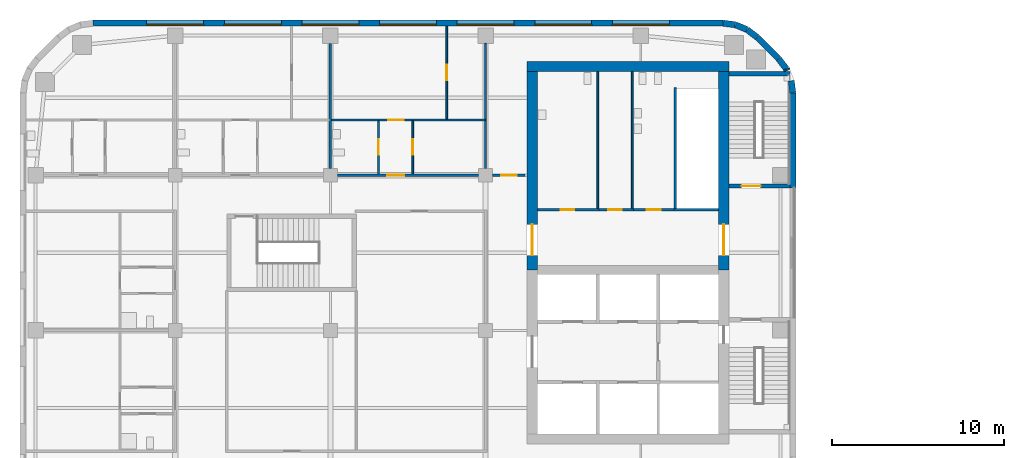
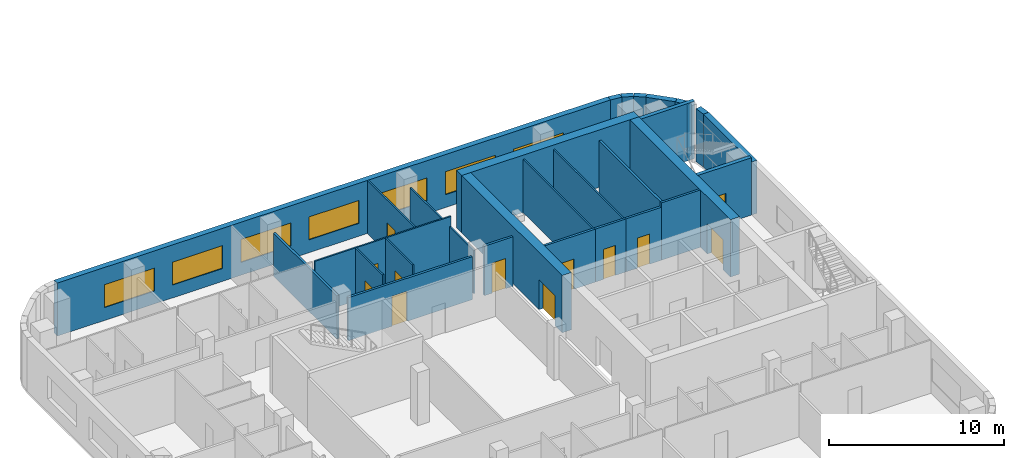
# One storey, part 8 of 16: 30 walls, 12 doors, 7 windows, 19 openings.
"""IFC4 building model written with IfcOpenShell, lengths in metres."""

from ifc_helpers import new_model, si_unit, direction, frame, frame_2d, origin, place, context, subcontext, project, spatial, rectangle, extrude, material, layer, layer_set, type_object, element, fill, save


model = new_model("IFC4")

# Units and contexts
model_context = context("Model", 3, precision=1e-05, world=origin(), true_north=direction((0.0, 1.0)))
body_context = subcontext(model_context, "Body", "Model", "MODEL_VIEW")
ifc_project = project(units=[si_unit("LENGTHUNIT", "METRE"), si_unit("AREAUNIT", "SQUARE_METRE"), si_unit("VOLUMEUNIT", "CUBIC_METRE"), si_unit("PLANEANGLEUNIT", "RADIAN"), si_unit("MASSUNIT", "GRAM", prefix="KILO")], contexts=[model_context])

# Site, building, storey
site_placement = place(None, origin())
site = spatial("IfcSite", under=ifc_project, at=site_placement, CompositionType="ELEMENT")
building_placement = place(site_placement, origin())
building = spatial("IfcBuilding", under=site, at=building_placement, Name="Cinnabar Reach Civic Tower", CompositionType="ELEMENT")
storey_placement = place(building_placement, frame((0.0, 0.0, 42.0)))
storey = spatial("IfcBuildingStorey", under=building, at=storey_placement, Name="L09", CompositionType="ELEMENT", Elevation=42.0)

# Walls
ifc_material_1 = material(Name="Facing brick with insulated backing", Category="masonry")
ifc_layer_1 = layer(ifc_material_1, 0.36)
ifc_layer_set_1 = layer_set([ifc_layer_1], Name="Brick corner wall")
wall_type_1 = type_object("IfcWallType", Name="Brick corner wall", PredefinedType="STANDARD", material=ifc_layer_set_1)
wall_1_placement = place(storey_placement, frame((-27.183, 40.7686, 0.0), z_axis=(0.0, 0.0, 1.0), x_axis=(-0.13055608231, 0.99144092581, 0.0)))
element("IfcWall", 1, at=wall_1_placement, inside=storey, type_object=wall_type_1, Name="Brick corner wall", PredefinedType="STANDARD", context=body_context, shape_type="SweptSolid", body=[
    extrude(rectangle(XDim=0.7131, YDim=0.36, at=frame_2d((0.3565, 0.0))), origin(), (0.0, 0.0, 1.0), 3.7),
])
wall_2_placement = place(storey_placement, frame((-27.5206, 42.0735, 0.0), z_axis=(0.0, 0.0, 1.0), x_axis=(-0.382549378284, 0.923935048136, 0.0)))
element("IfcWall", 2, at=wall_2_placement, inside=storey, type_object=wall_type_1, Name="Brick corner wall", PredefinedType="STANDARD", context=body_context, shape_type="SweptSolid", body=[
    extrude(rectangle(XDim=0.0894, YDim=0.36, at=frame_2d((0.0447, 0.0))), origin(), (0.0, 0.0, 1.0), 3.7),
])
for number, where, z_axis, x_axis, name in (
    (3, (-27.566, 42.1755, 0.0), (0.0, 0.0, 1.0), (-0.608802368033, 0.793321924995, 0.0), "Brick corner wall"),
    (4, (-29.2587, 43.9998, 0.0), (0.0, 0.0, 1.0), (-0.793321924995, 0.608802368033, 0.0), "Brick corner wall"),
):
    element("IfcWall", number, at=place(storey_placement, frame(where, z_axis=z_axis, x_axis=x_axis)), inside=storey, type_object=wall_type_1, Name=name, PredefinedType="STANDARD", context=body_context, shape_type="SweptSolid", body=[
        extrude(rectangle(XDim=0.7132, YDim=0.36, at=frame_2d((0.3566, 0.0))), origin(), (0.0, 0.0, 1.0), 3.7),
    ])
for number, where, z_axis, x_axis, name in (
    (5, (-29.8439, 44.4452, 0.0), (0.0, 0.0, 1.0), (-0.923871547278, 0.382702709855, 0.0), "Brick corner wall"),
    (6, (-30.5244, 44.7239, 0.0), (0.0, 0.0, 1.0), (-0.99144092581, 0.13055608231, 0.0), "Brick corner wall"),
):
    element("IfcWall", number, at=place(storey_placement, frame(where, z_axis=z_axis, x_axis=x_axis)), inside=storey, type_object=wall_type_1, Name=name, PredefinedType="STANDARD", context=body_context, shape_type="SweptSolid", body=[
        extrude(rectangle(XDim=0.7131, YDim=0.36, at=frame_2d((0.3565, 0.0))), origin(), (0.0, 0.0, 1.0), 3.7),
    ])
ifc_layer_2 = layer(ifc_material_1, 0.36)
ifc_layer_set_2 = layer_set([ifc_layer_2], Name="Brick pier and spandrel wall")
wall_type_2 = type_object("IfcWallType", Name="Brick pier and spandrel wall", PredefinedType="STANDARD", material=ifc_layer_set_2)
wall_3_placement = place(storey_placement, frame((-27.18, 35.25, 0.0), z_axis=(0.0, 0.0, 1.0), x_axis=(0.0, 1.0, 0.0)))
element("IfcWall", 7, at=wall_3_placement, inside=storey, type_object=wall_type_2, Name="Brick facade wall", PredefinedType="STANDARD", context=body_context, shape_type="SweptSolid", body=[
    extrude(rectangle(XDim=5.5074, YDim=0.36, at=frame_2d((2.7537, 0.0))), origin(), (0.0, 0.0, 1.0), 3.7),
])
wall_4_placement = place(storey_placement, frame((-28.006, 42.7514, 0.0), z_axis=(0.0, 0.0, 1.0), x_axis=(-0.707106781187, 0.707106781187, 0.0)))
element("IfcWall", 8, at=wall_4_placement, inside=storey, type_object=wall_type_2, Name="Brick facade wall", PredefinedType="STANDARD", context=body_context, shape_type="SweptSolid", body=[
    extrude(rectangle(XDim=1.7573, YDim=0.36, at=frame_2d((0.8787, 0.0))), origin(), (0.0, 0.0, 1.0), 3.7),
])

# Wall, openings, windows
wall_5_placement = place(storey_placement, frame((-31.2426, 44.82, 0.0), z_axis=(0.0, 0.0, 1.0), x_axis=(-1.0, 0.0, 0.0)))
wall_5 = element("IfcWall", 9, at=wall_5_placement, inside=storey, type_object=wall_type_2, Name="Brick facade wall", PredefinedType="STANDARD", context=body_context, shape_type="SweptSolid", body=[
    extrude(rectangle(XDim=36.5148, YDim=0.36, at=frame_2d((18.2574, 0.0))), origin(), (0.0, 0.0, 1.0), 3.7),
])
opening_1_placement = place(wall_5_placement, frame((3.1074, 0.0, 0.9)))
opening_1 = element("IfcOpeningElement", 10, at=opening_1_placement, cuts=wall_5, Name="Opening W2447", PredefinedType="OPENING", context=body_context, shape_type="SweptSolid", body=[
    extrude(rectangle(XDim=3.3, YDim=1.6, at=frame_2d((1.65, 0.8))), frame((0.0, 0.19, 0.0), z_axis=(0.0, -1.0, 0.0), x_axis=(1.0, 0.0, 0.0)), (0.0, 0.0, 1.0), 0.38),
])
opening_2_placement = place(wall_5_placement, frame((7.6074, 0.0, 0.9)))
opening_2 = element("IfcOpeningElement", 11, at=opening_2_placement, cuts=wall_5, Name="Opening W2448", PredefinedType="OPENING", context=body_context, shape_type="SweptSolid", body=[
    extrude(rectangle(XDim=3.3, YDim=1.6, at=frame_2d((1.65, 0.8))), frame((0.0, 0.19, 0.0), z_axis=(0.0, -1.0, 0.0), x_axis=(1.0, 0.0, 0.0)), (0.0, 0.0, 1.0), 0.38),
])
opening_3_placement = place(wall_5_placement, frame((12.1074, 0.0, 0.9)))
opening_3 = element("IfcOpeningElement", 12, at=opening_3_placement, cuts=wall_5, Name="Opening W2449", PredefinedType="OPENING", context=body_context, shape_type="SweptSolid", body=[
    extrude(rectangle(XDim=3.3, YDim=1.6, at=frame_2d((1.65, 0.8))), frame((0.0, 0.19, 0.0), z_axis=(0.0, -1.0, 0.0), x_axis=(1.0, 0.0, 0.0)), (0.0, 0.0, 1.0), 0.38),
])
opening_4_placement = place(wall_5_placement, frame((16.6074, 0.0, 0.9)))
opening_4 = element("IfcOpeningElement", 13, at=opening_4_placement, cuts=wall_5, Name="Opening W2450", PredefinedType="OPENING", context=body_context, shape_type="SweptSolid", body=[
    extrude(rectangle(XDim=3.3, YDim=1.6, at=frame_2d((1.65, 0.8))), frame((0.0, 0.19, 0.0), z_axis=(0.0, -1.0, 0.0), x_axis=(1.0, 0.0, 0.0)), (0.0, 0.0, 1.0), 0.38),
])
opening_5_placement = place(wall_5_placement, frame((21.1074, 0.0, 0.9)))
opening_5 = element("IfcOpeningElement", 14, at=opening_5_placement, cuts=wall_5, Name="Opening W2451", PredefinedType="OPENING", context=body_context, shape_type="SweptSolid", body=[
    extrude(rectangle(XDim=3.3, YDim=1.6, at=frame_2d((1.65, 0.8))), frame((0.0, 0.19, 0.0), z_axis=(0.0, -1.0, 0.0), x_axis=(1.0, 0.0, 0.0)), (0.0, 0.0, 1.0), 0.38),
])
opening_6_placement = place(wall_5_placement, frame((25.6074, 0.0, 0.9)))
opening_6 = element("IfcOpeningElement", 15, at=opening_6_placement, cuts=wall_5, Name="Opening W2452", PredefinedType="OPENING", context=body_context, shape_type="SweptSolid", body=[
    extrude(rectangle(XDim=3.3, YDim=1.6, at=frame_2d((1.65, 0.8))), frame((0.0, 0.19, 0.0), z_axis=(0.0, -1.0, 0.0), x_axis=(1.0, 0.0, 0.0)), (0.0, 0.0, 1.0), 0.38),
])
opening_7_placement = place(wall_5_placement, frame((30.1074, 0.0, 0.9)))
opening_7 = element("IfcOpeningElement", 16, at=opening_7_placement, cuts=wall_5, Name="Opening W2453", PredefinedType="OPENING", context=body_context, shape_type="SweptSolid", body=[
    extrude(rectangle(XDim=3.3, YDim=1.6, at=frame_2d((1.65, 0.8))), frame((0.0, 0.19, 0.0), z_axis=(0.0, -1.0, 0.0), x_axis=(1.0, 0.0, 0.0)), (0.0, 0.0, 1.0), 0.38),
])
ifc_material_2 = material(Name="Clear double glazing in aluminium frame", Category="aluminium")
window_type = type_object("IfcWindowType", Name="Deep-set window A", PartitioningType="SINGLE_PANEL", PredefinedType="WINDOW", material=ifc_material_2)
window_1_placement = place(opening_1_placement, origin())
window_1 = element("IfcWindow", 17, at=window_1_placement, inside=storey, type_object=window_type, Name="Window north face", OverallHeight=1.6, OverallWidth=3.3, PartitioningType="SINGLE_PANEL", PredefinedType="WINDOW", context=body_context, shape_type="SweptSolid", body=[
    extrude(rectangle(XDim=3.3, YDim=1.6, at=frame_2d((1.65, 0.8))), frame((0.0, 0.13, 0.0), z_axis=(0.0, -1.0, 0.0), x_axis=(1.0, 0.0, 0.0)), (0.0, 0.0, 1.0), 0.06),
])
fill(opening_1, window_1)
window_2_placement = place(opening_2_placement, origin())
window_2 = element("IfcWindow", 18, at=window_2_placement, inside=storey, type_object=window_type, Name="Window north face", OverallHeight=1.6, OverallWidth=3.3, PartitioningType="SINGLE_PANEL", PredefinedType="WINDOW", context=body_context, shape_type="SweptSolid", body=[
    extrude(rectangle(XDim=3.3, YDim=1.6, at=frame_2d((1.65, 0.8))), frame((0.0, 0.13, 0.0), z_axis=(0.0, -1.0, 0.0), x_axis=(1.0, 0.0, 0.0)), (0.0, 0.0, 1.0), 0.06),
])
fill(opening_2, window_2)
window_3_placement = place(opening_3_placement, origin())
window_3 = element("IfcWindow", 19, at=window_3_placement, inside=storey, type_object=window_type, Name="Window north face", OverallHeight=1.6, OverallWidth=3.3, PartitioningType="SINGLE_PANEL", PredefinedType="WINDOW", context=body_context, shape_type="SweptSolid", body=[
    extrude(rectangle(XDim=3.3, YDim=1.6, at=frame_2d((1.65, 0.8))), frame((0.0, 0.13, 0.0), z_axis=(0.0, -1.0, 0.0), x_axis=(1.0, 0.0, 0.0)), (0.0, 0.0, 1.0), 0.06),
])
fill(opening_3, window_3)
window_4_placement = place(opening_4_placement, origin())
window_4 = element("IfcWindow", 20, at=window_4_placement, inside=storey, type_object=window_type, Name="Window north face", OverallHeight=1.6, OverallWidth=3.3, PartitioningType="SINGLE_PANEL", PredefinedType="WINDOW", context=body_context, shape_type="SweptSolid", body=[
    extrude(rectangle(XDim=3.3, YDim=1.6, at=frame_2d((1.65, 0.8))), frame((0.0, 0.13, 0.0), z_axis=(0.0, -1.0, 0.0), x_axis=(1.0, 0.0, 0.0)), (0.0, 0.0, 1.0), 0.06),
])
fill(opening_4, window_4)
window_5_placement = place(opening_5_placement, origin())
window_5 = element("IfcWindow", 21, at=window_5_placement, inside=storey, type_object=window_type, Name="Window north face", OverallHeight=1.6, OverallWidth=3.3, PartitioningType="SINGLE_PANEL", PredefinedType="WINDOW", context=body_context, shape_type="SweptSolid", body=[
    extrude(rectangle(XDim=3.3, YDim=1.6, at=frame_2d((1.65, 0.8))), frame((0.0, 0.13, 0.0), z_axis=(0.0, -1.0, 0.0), x_axis=(1.0, 0.0, 0.0)), (0.0, 0.0, 1.0), 0.06),
])
fill(opening_5, window_5)
window_6_placement = place(opening_6_placement, origin())
window_6 = element("IfcWindow", 22, at=window_6_placement, inside=storey, type_object=window_type, Name="Window north face", OverallHeight=1.6, OverallWidth=3.3, PartitioningType="SINGLE_PANEL", PredefinedType="WINDOW", context=body_context, shape_type="SweptSolid", body=[
    extrude(rectangle(XDim=3.3, YDim=1.6, at=frame_2d((1.65, 0.8))), frame((0.0, 0.13, 0.0), z_axis=(0.0, -1.0, 0.0), x_axis=(1.0, 0.0, 0.0)), (0.0, 0.0, 1.0), 0.06),
])
fill(opening_6, window_6)
window_7_placement = place(opening_7_placement, origin())
window_7 = element("IfcWindow", 23, at=window_7_placement, inside=storey, type_object=window_type, Name="Window north face", OverallHeight=1.6, OverallWidth=3.3, PartitioningType="SINGLE_PANEL", PredefinedType="WINDOW", context=body_context, shape_type="SweptSolid", body=[
    extrude(rectangle(XDim=3.3, YDim=1.6, at=frame_2d((1.65, 0.8))), frame((0.0, 0.13, 0.0), z_axis=(0.0, -1.0, 0.0), x_axis=(1.0, 0.0, 0.0)), (0.0, 0.0, 1.0), 0.06),
])
fill(opening_7, window_7)

# Wall
ifc_material_3 = material(Name="Concrete C70", Category="concrete")
ifc_layer_3 = layer(ifc_material_3, 0.6)
ifc_layer_set_3 = layer_set([ifc_layer_3], Name="Core wall 600 EI 180")
wall_type_3 = type_object("IfcWallType", Name="Core wall 600 EI 180", PredefinedType="SOLIDWALL", material=ifc_layer_set_3)
wall_6_placement = place(storey_placement, frame((-30.9, 42.3, 0.0), z_axis=(0.0, 0.0, 1.0), x_axis=(-1.0, 0.0, 0.0)))
element("IfcWall", 24, at=wall_6_placement, inside=storey, type_object=wall_type_3, Name="Core wall T2 L09 N", PredefinedType="SOLIDWALL", context=body_context, shape_type="SweptSolid", body=[
    extrude(rectangle(XDim=11.7, YDim=0.6, at=frame_2d((5.85, 0.0))), origin(), (0.0, 0.0, 1.0), 4.0),
])

# Wall, opening, door
wall_7_placement = place(storey_placement, frame((-31.2, 30.5, 0.0), z_axis=(0.0, 0.0, 1.0), x_axis=(0.0, 1.0, 0.0)))
wall_7 = element("IfcWall", 25, at=wall_7_placement, inside=storey, type_object=wall_type_3, Name="Core wall T2 L09 E2", PredefinedType="SOLIDWALL", context=body_context, shape_type="SweptSolid", body=[
    extrude(rectangle(XDim=11.5, YDim=0.6, at=frame_2d((5.75, 0.0))), origin(), (0.0, 0.0, 1.0), 4.0),
])
opening_8_placement = place(wall_7_placement, frame((0.85, 0.0, 0.0)))
opening_8 = element("IfcOpeningElement", 26, at=opening_8_placement, cuts=wall_7, Name="Opening D6321", PredefinedType="OPENING", context=body_context, shape_type="SweptSolid", body=[
    extrude(rectangle(XDim=1.8, YDim=2.1, at=frame_2d((0.9, 1.05))), frame((0.0, 0.31, 0.0), z_axis=(0.0, -1.0, 0.0), x_axis=(1.0, 0.0, 0.0)), (0.0, 0.0, 1.0), 0.62),
])
ifc_material_4 = material(Name="Steel fire door", Category="steel")
door_type_1 = type_object("IfcDoorType", Name="T2 Double door 1800", OperationType="DOUBLE_DOOR_SINGLE_SWING", PredefinedType="DOOR", material=ifc_material_4)
door_1_placement = place(opening_8_placement, origin())
door_1 = element("IfcDoor", 27, at=door_1_placement, inside=storey, type_object=door_type_1, Name="T2 Double door D6321", OperationType="DOUBLE_DOOR_SINGLE_SWING", OverallHeight=2.1, OverallWidth=1.8, PredefinedType="DOOR", context=body_context, shape_type="SweptSolid", body=[
    extrude(rectangle(XDim=1.8, YDim=2.1, at=frame_2d((0.9, 1.05))), frame((0.0, 0.025, 0.0), z_axis=(0.0, -1.0, 0.0), x_axis=(1.0, 0.0, 0.0)), (0.0, 0.0, 1.0), 0.05),
])
fill(opening_8, door_1)

wall_8_placement = place(storey_placement, frame((-42.3, 42.0, 0.0), z_axis=(0.0, 0.0, 1.0), x_axis=(0.0, -1.0, 0.0)))
wall_8 = element("IfcWall", 28, at=wall_8_placement, inside=storey, type_object=wall_type_3, Name="Core wall T2 L09 W", PredefinedType="SOLIDWALL", context=body_context, shape_type="SweptSolid", body=[
    extrude(rectangle(XDim=11.5, YDim=0.6, at=frame_2d((5.75, 0.0))), origin(), (0.0, 0.0, 1.0), 4.0),
])
opening_9_placement = place(wall_8_placement, frame((8.85, 0.0, 0.0)))
opening_9 = element("IfcOpeningElement", 29, at=opening_9_placement, cuts=wall_8, Name="Opening D6323", PredefinedType="OPENING", context=body_context, shape_type="SweptSolid", body=[
    extrude(rectangle(XDim=1.8, YDim=2.1, at=frame_2d((0.9, 1.05))), frame((0.0, 0.31, 0.0), z_axis=(0.0, -1.0, 0.0), x_axis=(1.0, 0.0, 0.0)), (0.0, 0.0, 1.0), 0.62),
])
door_2_placement = place(opening_9_placement, frame((1.8, 0.0, 0.0), z_axis=(0.0, 0.0, 1.0), x_axis=(-1.0, 0.0, 0.0)))
door_2 = element("IfcDoor", 30, at=door_2_placement, inside=storey, type_object=door_type_1, Name="T2 Double door D6323", OperationType="DOUBLE_DOOR_SINGLE_SWING", OverallHeight=2.1, OverallWidth=1.8, PredefinedType="DOOR", context=body_context, shape_type="SweptSolid", body=[
    extrude(rectangle(XDim=1.8, YDim=2.1, at=frame_2d((0.9, 1.05))), frame((0.0, 0.025, 0.0), z_axis=(0.0, -1.0, 0.0), x_axis=(1.0, 0.0, 0.0)), (0.0, 0.0, 1.0), 0.05),
])
fill(opening_9, door_2)

ifc_material_5 = material(Name="Gypsum board on steel studs, double layer", Category="steel")
ifc_layer_4 = layer(ifc_material_5, 0.15)
ifc_layer_set_4 = layer_set([ifc_layer_4], Name="Corridor wall 150 T2")
wall_type_4 = type_object("IfcWallType", Name="Corridor wall 150 T2", PredefinedType="PARTITIONING", material=ifc_layer_set_4)
wall_9_placement = place(storey_placement, frame((-44.6, 36.0, 0.0), z_axis=(0.0, 0.0, 1.0), x_axis=(1.0, 0.0, 0.0)))
wall_9 = element("IfcWall", 31, at=wall_9_placement, inside=storey, type_object=wall_type_4, Name="Corridor wall 6", PredefinedType="PARTITIONING", context=body_context, shape_type="SweptSolid", body=[
    extrude(rectangle(XDim=1.875, YDim=0.15, at=frame_2d((0.9375, 0.0))), origin(), (0.0, 0.0, 1.0), 3.452),
])
opening_10_placement = place(wall_9_placement, frame((0.5, 0.0, 0.0)))
opening_10 = element("IfcOpeningElement", 32, at=opening_10_placement, cuts=wall_9, Name="Opening D6327", PredefinedType="OPENING", context=body_context, shape_type="SweptSolid", body=[
    extrude(rectangle(XDim=0.9, YDim=2.1, at=frame_2d((0.45, 1.05))), frame((0.0, 0.085, 0.0), z_axis=(0.0, -1.0, 0.0), x_axis=(1.0, 0.0, 0.0)), (0.0, 0.0, 1.0), 0.17),
])
ifc_material_6 = material(Name="Timber door leaf in steel frame", Category="steel")
door_type_2 = type_object("IfcDoorType", Name="Single swing door 900 x 2100 T2", OperationType="SINGLE_SWING_LEFT", PredefinedType="DOOR", material=ifc_material_6)
door_3_placement = place(opening_10_placement, origin())
door_3 = element("IfcDoor", 33, at=door_3_placement, inside=storey, type_object=door_type_2, Name="Door D6327", OperationType="SINGLE_SWING_LEFT", OverallHeight=2.1, OverallWidth=0.9, PredefinedType="DOOR", context=body_context, shape_type="SweptSolid", body=[
    extrude(rectangle(XDim=0.9, YDim=2.1, at=frame_2d((0.45, 1.05))), frame((0.0, 0.025, 0.0), z_axis=(0.0, -1.0, 0.0), x_axis=(1.0, 0.0, 0.0)), (0.0, 0.0, 1.0), 0.05),
])
fill(opening_10, door_3)

wall_10_placement = place(storey_placement, frame((-53.6, 36.0, 0.0), z_axis=(0.0, 0.0, 1.0), x_axis=(1.0, 0.0, 0.0)))
wall_10 = element("IfcWall", 34, at=wall_10_placement, inside=storey, type_object=wall_type_4, Name="Corridor wall 7", PredefinedType="PARTITIONING", context=body_context, shape_type="SweptSolid", body=[
    extrude(rectangle(XDim=8.2, YDim=0.15, at=frame_2d((4.1, 0.0))), origin(), (0.0, 0.0, 1.0), 3.0),
])
opening_11_placement = place(wall_10_placement, frame((2.89, 0.0, 0.0)))
opening_11 = element("IfcOpeningElement", 35, at=opening_11_placement, cuts=wall_10, Name="Opening D6358", PredefinedType="OPENING", context=body_context, shape_type="SweptSolid", body=[
    extrude(rectangle(XDim=1.0, YDim=2.1, at=frame_2d((0.5, 1.05))), frame((0.0, 0.085, 0.0), z_axis=(0.0, -1.0, 0.0), x_axis=(1.0, 0.0, 0.0)), (0.0, 0.0, 1.0), 0.17),
])
door_type_3 = type_object("IfcDoorType", Name="Tenancy entrance door 1000 x 2100 T2", OperationType="SINGLE_SWING_LEFT", PredefinedType="DOOR", material=ifc_material_6)
door_4_placement = place(opening_11_placement, origin())
door_4 = element("IfcDoor", 36, at=door_4_placement, inside=storey, type_object=door_type_3, Name="Door D6358", OperationType="SINGLE_SWING_LEFT", OverallHeight=2.1, OverallWidth=1.0, PredefinedType="DOOR", context=body_context, shape_type="SweptSolid", body=[
    extrude(rectangle(XDim=1.0, YDim=2.1, at=frame_2d((0.5, 1.05))), frame((0.0, 0.025, 0.0), z_axis=(0.0, -1.0, 0.0), x_axis=(1.0, 0.0, 0.0)), (0.0, 0.0, 1.0), 0.05),
])
fill(opening_11, door_4)

ifc_material_7 = material(Name="Gypsum board on steel studs", Category="steel")
ifc_layer_5 = layer(ifc_material_7, 0.1)
ifc_layer_set_5 = layer_set([ifc_layer_5], Name="Partition wall 100 T2")
wall_type_5 = type_object("IfcWallType", Name="Partition wall 100 T2", PredefinedType="PARTITIONING", material=ifc_layer_set_5)
wall_11_placement = place(storey_placement, frame((-53.925, 39.2, 0.0), z_axis=(0.0, 0.0, 1.0), x_axis=(1.0, 0.0, 0.0)))
wall_11 = element("IfcWall", 37, at=wall_11_placement, inside=storey, type_object=wall_type_5, Name="Partition wall 32", PredefinedType="PARTITIONING", context=body_context, shape_type="SweptSolid", body=[
    extrude(rectangle(XDim=8.975, YDim=0.1, at=frame_2d((4.4875, 0.0))), origin(), (0.0, 0.0, 1.0), 3.7),
])
opening_12_placement = place(wall_11_placement, frame((3.265, 0.0, 0.0)))
opening_12 = element("IfcOpeningElement", 38, at=opening_12_placement, cuts=wall_11, Name="Opening D6356", PredefinedType="OPENING", context=body_context, shape_type="SweptSolid", body=[
    extrude(rectangle(XDim=0.9, YDim=2.1, at=frame_2d((0.45, 1.05))), frame((0.0, 0.06, 0.0), z_axis=(0.0, -1.0, 0.0), x_axis=(1.0, 0.0, 0.0)), (0.0, 0.0, 1.0), 0.12),
])
door_5_placement = place(opening_12_placement, frame((0.9, 0.0, 0.0), z_axis=(0.0, 0.0, 1.0), x_axis=(-1.0, 0.0, 0.0)))
door_5 = element("IfcDoor", 39, at=door_5_placement, inside=storey, type_object=door_type_2, Name="Door D6356", OperationType="SINGLE_SWING_LEFT", OverallHeight=2.1, OverallWidth=0.9, PredefinedType="DOOR", context=body_context, shape_type="SweptSolid", body=[
    extrude(rectangle(XDim=0.9, YDim=2.1, at=frame_2d((0.45, 1.05))), frame((0.0, 0.025, 0.0), z_axis=(0.0, -1.0, 0.0), x_axis=(1.0, 0.0, 0.0)), (0.0, 0.0, 1.0), 0.05),
])
fill(opening_12, door_5)

# Walls
wall_12_placement = place(storey_placement, frame((-45.0, 39.25, 0.0), z_axis=(0.0, 0.0, 1.0), x_axis=(0.0, 1.0, 0.0)))
element("IfcWall", 40, at=wall_12_placement, inside=storey, type_object=wall_type_5, Name="Partition wall 40", PredefinedType="PARTITIONING", context=body_context, shape_type="SweptSolid", body=[
    extrude(rectangle(XDim=4.4, YDim=0.1, at=frame_2d((2.2, 0.0))), origin(), (0.0, 0.0, 1.0), 3.008),
])
wall_13_placement = place(storey_placement, frame((-45.0, 36.4, 0.0), z_axis=(0.0, 0.0, 1.0), x_axis=(0.0, 1.0, 0.0)))
element("IfcWall", 41, at=wall_13_placement, inside=storey, type_object=wall_type_5, Name="Partition wall 41", PredefinedType="PARTITIONING", context=body_context, shape_type="SweptSolid", body=[
    extrude(rectangle(XDim=2.75, YDim=0.1, at=frame_2d((1.375, 0.0))), origin(), (0.0, 0.0, 1.0), 3.008),
])

# Wall, opening, door
wall_14_placement = place(storey_placement, frame((-47.25, 39.25, 0.0), z_axis=(0.0, 0.0, 1.0), x_axis=(0.0, 1.0, 0.0)))
wall_14 = element("IfcWall", 42, at=wall_14_placement, inside=storey, type_object=wall_type_5, Name="Partition wall 43", PredefinedType="PARTITIONING", context=body_context, shape_type="SweptSolid", body=[
    extrude(rectangle(XDim=5.39, YDim=0.1, at=frame_2d((2.695, 0.0))), origin(), (0.0, 0.0, 1.0), 3.7),
])
opening_13_placement = place(wall_14_placement, frame((2.25, 0.0, 0.0)))
opening_13 = element("IfcOpeningElement", 43, at=opening_13_placement, cuts=wall_14, Name="Opening D6357", PredefinedType="OPENING", context=body_context, shape_type="SweptSolid", body=[
    extrude(rectangle(XDim=0.9, YDim=2.1, at=frame_2d((0.45, 1.05))), frame((0.0, 0.06, 0.0), z_axis=(0.0, -1.0, 0.0), x_axis=(1.0, 0.0, 0.0)), (0.0, 0.0, 1.0), 0.12),
])
door_6_placement = place(opening_13_placement, frame((0.9, 0.0, 0.0), z_axis=(0.0, 0.0, 1.0), x_axis=(-1.0, 0.0, 0.0)))
door_6 = element("IfcDoor", 44, at=door_6_placement, inside=storey, type_object=door_type_2, Name="Door D6357", OperationType="SINGLE_SWING_LEFT", OverallHeight=2.1, OverallWidth=0.9, PredefinedType="DOOR", context=body_context, shape_type="SweptSolid", body=[
    extrude(rectangle(XDim=0.9, YDim=2.1, at=frame_2d((0.45, 1.05))), frame((0.0, 0.025, 0.0), z_axis=(0.0, -1.0, 0.0), x_axis=(1.0, 0.0, 0.0)), (0.0, 0.0, 1.0), 0.05),
])
fill(opening_13, door_6)

wall_15_placement = place(storey_placement, frame((-51.21, 36.075, 0.0), z_axis=(0.0, 0.0, 1.0), x_axis=(0.0, 1.0, 0.0)))
wall_15 = element("IfcWall", 45, at=wall_15_placement, inside=storey, type_object=wall_type_5, Name="Partition wall 52", PredefinedType="PARTITIONING", context=body_context, shape_type="SweptSolid", body=[
    extrude(rectangle(XDim=3.075, YDim=0.1, at=frame_2d((1.5375, 0.0))), origin(), (0.0, 0.0, 1.0), 3.7),
])
opening_14_placement = place(wall_15_placement, frame((1.1, 0.0, 0.0)))
opening_14 = element("IfcOpeningElement", 46, at=opening_14_placement, cuts=wall_15, Name="Opening D6354", PredefinedType="OPENING", context=body_context, shape_type="SweptSolid", body=[
    extrude(rectangle(XDim=0.9, YDim=2.1, at=frame_2d((0.45, 1.05))), frame((0.0, 0.06, 0.0), z_axis=(0.0, -1.0, 0.0), x_axis=(1.0, 0.0, 0.0)), (0.0, 0.0, 1.0), 0.12),
])
door_7_placement = place(opening_14_placement, origin())
door_7 = element("IfcDoor", 47, at=door_7_placement, inside=storey, type_object=door_type_2, Name="Door D6354", OperationType="SINGLE_SWING_LEFT", OverallHeight=2.1, OverallWidth=0.9, PredefinedType="DOOR", context=body_context, shape_type="SweptSolid", body=[
    extrude(rectangle(XDim=0.9, YDim=2.1, at=frame_2d((0.45, 1.05))), frame((0.0, 0.025, 0.0), z_axis=(0.0, -1.0, 0.0), x_axis=(1.0, 0.0, 0.0)), (0.0, 0.0, 1.0), 0.05),
])
fill(opening_14, door_7)

wall_16_placement = place(storey_placement, frame((-49.23, 36.075, 0.0), z_axis=(0.0, 0.0, 1.0), x_axis=(0.0, 1.0, 0.0)))
wall_16 = element("IfcWall", 48, at=wall_16_placement, inside=storey, type_object=wall_type_5, Name="Partition wall 53", PredefinedType="PARTITIONING", context=body_context, shape_type="SweptSolid", body=[
    extrude(rectangle(XDim=3.075, YDim=0.1, at=frame_2d((1.5375, 0.0))), origin(), (0.0, 0.0, 1.0), 3.7),
])
opening_15_placement = place(wall_16_placement, frame((1.1, 0.0, 0.0)))
opening_15 = element("IfcOpeningElement", 49, at=opening_15_placement, cuts=wall_16, Name="Opening D6355", PredefinedType="OPENING", context=body_context, shape_type="SweptSolid", body=[
    extrude(rectangle(XDim=0.9, YDim=2.1, at=frame_2d((0.45, 1.05))), frame((0.0, 0.06, 0.0), z_axis=(0.0, -1.0, 0.0), x_axis=(1.0, 0.0, 0.0)), (0.0, 0.0, 1.0), 0.12),
])
door_8_placement = place(opening_15_placement, origin())
door_8 = element("IfcDoor", 50, at=door_8_placement, inside=storey, type_object=door_type_2, Name="Door D6355", OperationType="SINGLE_SWING_LEFT", OverallHeight=2.1, OverallWidth=0.9, PredefinedType="DOOR", context=body_context, shape_type="SweptSolid", body=[
    extrude(rectangle(XDim=0.9, YDim=2.1, at=frame_2d((0.45, 1.05))), frame((0.0, 0.025, 0.0), z_axis=(0.0, -1.0, 0.0), x_axis=(1.0, 0.0, 0.0)), (0.0, 0.0, 1.0), 0.05),
])
fill(opening_15, door_8)

ifc_material_8 = material(Name="Concrete C60", Category="concrete")
ifc_layer_6 = layer(ifc_material_8, 0.25)
ifc_layer_set_6 = layer_set([ifc_layer_6], Name="Stair shaft wall 250 EI 120")
wall_type_6 = type_object("IfcWallType", Name="Stair shaft wall 250 EI 120", PredefinedType="SOLIDWALL", material=ifc_layer_set_6)
wall_17_placement = place(storey_placement, frame((-30.9, 35.375, 0.0), z_axis=(0.0, 0.0, 1.0), x_axis=(1.0, 0.0, 0.0)))
wall_17 = element("IfcWall", 51, at=wall_17_placement, inside=storey, type_object=wall_type_6, Name="Stair shaft wall T2-S2 L09", PredefinedType="SOLIDWALL", context=body_context, shape_type="SweptSolid", body=[
    extrude(rectangle(XDim=3.54, YDim=0.25, at=frame_2d((1.77, 0.0))), origin(), (0.0, 0.0, 1.0), 4.0),
])
opening_16_placement = place(wall_17_placement, frame((0.75, 0.0, 0.0)))
opening_16 = element("IfcOpeningElement", 52, at=opening_16_placement, cuts=wall_17, Name="Opening D6320", PredefinedType="OPENING", context=body_context, shape_type="SweptSolid", body=[
    extrude(rectangle(XDim=1.1, YDim=2.1, at=frame_2d((0.55, 1.05))), frame((0.0, 0.135, 0.0), z_axis=(0.0, -1.0, 0.0), x_axis=(1.0, 0.0, 0.0)), (0.0, 0.0, 1.0), 0.27),
])
door_type_4 = type_object("IfcDoorType", Name="T2 Stair door 1100", OperationType="SINGLE_SWING_LEFT", PredefinedType="DOOR", material=ifc_material_4)
door_9_placement = place(opening_16_placement, origin())
door_9 = element("IfcDoor", 53, at=door_9_placement, inside=storey, type_object=door_type_4, Name="T2 Stair door D6320", OperationType="SINGLE_SWING_RIGHT", OverallHeight=2.1, OverallWidth=1.1, PredefinedType="DOOR", context=body_context, shape_type="SweptSolid", body=[
    extrude(rectangle(XDim=1.1, YDim=2.1, at=frame_2d((0.55, 1.05))), frame((0.0, 0.025, 0.0), z_axis=(0.0, -1.0, 0.0), x_axis=(1.0, 0.0, 0.0)), (0.0, 0.0, 1.0), 0.05),
])
fill(opening_16, door_9)

# Wall
wall_18_placement = place(storey_placement, frame((-27.36, 41.875, 0.0), z_axis=(0.0, 0.0, 1.0), x_axis=(-1.0, 0.0, 0.0)))
element("IfcWall", 54, at=wall_18_placement, inside=storey, type_object=wall_type_6, Name="Stair shaft wall T2-S2 L09", PredefinedType="SOLIDWALL", context=body_context, shape_type="SweptSolid", body=[
    extrude(rectangle(XDim=3.54, YDim=0.25, at=frame_2d((1.77, 0.0))), origin(), (0.0, 0.0, 1.0), 4.0),
])

# Wall, opening, door
ifc_material_9 = material(Name="Masonry block partition", Category="masonry")
ifc_layer_7 = layer(ifc_material_9, 0.15)
ifc_layer_set_7 = layer_set([ifc_layer_7], Name="T2 Corridor wall 150")
wall_type_7 = type_object("IfcWallType", Name="T2 Corridor wall 150", PredefinedType="PARTITIONING", material=ifc_layer_set_7)
wall_19_placement = place(storey_placement, frame((-38.425, 34.0, 0.0), z_axis=(0.0, 0.0, 1.0), x_axis=(-1.0, 0.0, 0.0)))
wall_19 = element("IfcWall", 55, at=wall_19_placement, inside=storey, type_object=wall_type_7, Name="T2 Corridor wall L09 014", PredefinedType="PARTITIONING", context=body_context, shape_type="SweptSolid", body=[
    extrude(rectangle(XDim=3.575, YDim=0.15, at=frame_2d((1.7875, 0.0))), origin(), (0.0, 0.0, 1.0), 3.7),
])
opening_17_placement = place(wall_19_placement, frame((1.425, 0.0, 0.0)))
opening_17 = element("IfcOpeningElement", 56, at=opening_17_placement, cuts=wall_19, Name="Opening D6324", PredefinedType="OPENING", context=body_context, shape_type="SweptSolid", body=[
    extrude(rectangle(XDim=0.8, YDim=2.1, at=frame_2d((0.4, 1.05))), frame((0.0, 0.085, 0.0), z_axis=(0.0, -1.0, 0.0), x_axis=(1.0, 0.0, 0.0)), (0.0, 0.0, 1.0), 0.17),
])
ifc_material_10 = material(Name="Timber door leaf", Category="wood")
door_type_5 = type_object("IfcDoorType", Name="T2 Bathroom door 800", OperationType="SINGLE_SWING_LEFT", PredefinedType="DOOR", material=ifc_material_10)
door_10_placement = place(opening_17_placement, frame((0.8, 0.0, 0.0), z_axis=(0.0, 0.0, 1.0), x_axis=(-1.0, 0.0, 0.0)))
door_10 = element("IfcDoor", 57, at=door_10_placement, inside=storey, type_object=door_type_5, Name="T2 Bathroom door D6324", OperationType="SINGLE_SWING_RIGHT", OverallHeight=2.1, OverallWidth=0.8, PredefinedType="DOOR", context=body_context, shape_type="SweptSolid", body=[
    extrude(rectangle(XDim=0.8, YDim=2.1, at=frame_2d((0.4, 1.05))), frame((0.0, 0.025, 0.0), z_axis=(0.0, -1.0, 0.0), x_axis=(1.0, 0.0, 0.0)), (0.0, 0.0, 1.0), 0.05),
])
fill(opening_17, door_10)

wall_20_placement = place(storey_placement, frame((-36.425, 34.0, 0.0), z_axis=(0.0, 0.0, 1.0), x_axis=(-1.0, 0.0, 0.0)))
wall_20 = element("IfcWall", 58, at=wall_20_placement, inside=storey, type_object=wall_type_7, Name="T2 Corridor wall L09 015", PredefinedType="PARTITIONING", context=body_context, shape_type="SweptSolid", body=[
    extrude(rectangle(XDim=2.0, YDim=0.15, at=frame_2d((1.0, 0.0))), origin(), (0.0, 0.0, 1.0), 3.7),
])
opening_18_placement = place(wall_20_placement, frame((0.675, 0.0, 0.0)))
opening_18 = element("IfcOpeningElement", 59, at=opening_18_placement, cuts=wall_20, Name="Opening D6325", PredefinedType="OPENING", context=body_context, shape_type="SweptSolid", body=[
    extrude(rectangle(XDim=0.8, YDim=2.1, at=frame_2d((0.4, 1.05))), frame((0.0, 0.085, 0.0), z_axis=(0.0, -1.0, 0.0), x_axis=(1.0, 0.0, 0.0)), (0.0, 0.0, 1.0), 0.17),
])
door_11_placement = place(opening_18_placement, frame((0.8, 0.0, 0.0), z_axis=(0.0, 0.0, 1.0), x_axis=(-1.0, 0.0, 0.0)))
door_11 = element("IfcDoor", 60, at=door_11_placement, inside=storey, type_object=door_type_5, Name="T2 Bathroom door D6325", OperationType="SINGLE_SWING_RIGHT", OverallHeight=2.1, OverallWidth=0.8, PredefinedType="DOOR", context=body_context, shape_type="SweptSolid", body=[
    extrude(rectangle(XDim=0.8, YDim=2.1, at=frame_2d((0.4, 1.05))), frame((0.0, 0.025, 0.0), z_axis=(0.0, -1.0, 0.0), x_axis=(1.0, 0.0, 0.0)), (0.0, 0.0, 1.0), 0.05),
])
fill(opening_18, door_11)

wall_21_placement = place(storey_placement, frame((-34.075, 34.0, 0.0), z_axis=(0.0, 0.0, 1.0), x_axis=(-1.0, 0.0, 0.0)))
wall_21 = element("IfcWall", 61, at=wall_21_placement, inside=storey, type_object=wall_type_7, Name="T2 Corridor wall L09 016", PredefinedType="PARTITIONING", context=body_context, shape_type="SweptSolid", body=[
    extrude(rectangle(XDim=2.35, YDim=0.15, at=frame_2d((1.175, 0.0))), origin(), (0.0, 0.0, 1.0), 3.7),
])
opening_19_placement = place(wall_21_placement, frame((0.775, 0.0, 0.0)))
opening_19 = element("IfcOpeningElement", 62, at=opening_19_placement, cuts=wall_21, Name="Opening D6326", PredefinedType="OPENING", context=body_context, shape_type="SweptSolid", body=[
    extrude(rectangle(XDim=0.8, YDim=2.1, at=frame_2d((0.4, 1.05))), frame((0.0, 0.085, 0.0), z_axis=(0.0, -1.0, 0.0), x_axis=(1.0, 0.0, 0.0)), (0.0, 0.0, 1.0), 0.17),
])
door_12_placement = place(opening_19_placement, frame((0.8, 0.0, 0.0), z_axis=(0.0, 0.0, 1.0), x_axis=(-1.0, 0.0, 0.0)))
door_12 = element("IfcDoor", 63, at=door_12_placement, inside=storey, type_object=door_type_5, Name="T2 Bathroom door D6326", OperationType="SINGLE_SWING_RIGHT", OverallHeight=2.1, OverallWidth=0.8, PredefinedType="DOOR", context=body_context, shape_type="SweptSolid", body=[
    extrude(rectangle(XDim=0.8, YDim=2.1, at=frame_2d((0.4, 1.05))), frame((0.0, 0.025, 0.0), z_axis=(0.0, -1.0, 0.0), x_axis=(1.0, 0.0, 0.0)), (0.0, 0.0, 1.0), 0.05),
])
fill(opening_19, door_12)

# Walls
ifc_material_11 = material(Name="Gypsum board partition")
ifc_layer_8 = layer(ifc_material_11, 0.1)
ifc_layer_set_8 = layer_set([ifc_layer_8], Name="T2 Internal partition 100")
wall_type_8 = type_object("IfcWallType", Name="T2 Internal partition 100", PredefinedType="PARTITIONING", material=ifc_layer_set_8)
for number, where, z_axis, x_axis, name in (
    (64, (-38.5, 34.075, 0.0), (0.0, 0.0, 1.0), (0.0, 1.0, 0.0), "T2 Internal partition L09 017"),
    (65, (-36.5, 34.075, 0.0), (0.0, 0.0, 1.0), (0.0, 1.0, 0.0), "T2 Internal partition L09 018"),
):
    element("IfcWall", number, at=place(storey_placement, frame(where, z_axis=z_axis, x_axis=x_axis)), inside=storey, type_object=wall_type_8, Name=name, PredefinedType="PARTITIONING", context=body_context, shape_type="SweptSolid", body=[
        extrude(rectangle(XDim=7.925, YDim=0.1, at=frame_2d((3.9625, 0.0))), origin(), (0.0, 0.0, 1.0), 3.7),
    ])
ifc_material_12 = material(Name="Concrete C40", Category="concrete")
ifc_layer_9 = layer(ifc_material_12, 0.15)
ifc_layer_set_9 = layer_set([ifc_layer_9], Name="T2 Riser wall 150")
wall_type_9 = type_object("IfcWallType", Name="T2 Riser wall 150", PredefinedType="SOLIDWALL", material=ifc_layer_set_9)
wall_22_placement = place(storey_placement, frame((-34.075, 34.0, 0.0), z_axis=(0.0, 0.0, 1.0), x_axis=(1.0, 0.0, 0.0)))
element("IfcWall", 66, at=wall_22_placement, inside=storey, type_object=wall_type_9, Name="T2 Riser wall L09 012", PredefinedType="SOLIDWALL", context=body_context, shape_type="SweptSolid", body=[
    extrude(rectangle(XDim=2.575, YDim=0.15, at=frame_2d((1.2875, 0.0))), origin(), (0.0, 0.0, 1.0), 4.0),
])
wall_23_placement = place(storey_placement, frame((-34.0, 41.075, 0.0), z_axis=(0.0, 0.0, 1.0), x_axis=(0.0, -1.0, 0.0)))
element("IfcWall", 67, at=wall_23_placement, inside=storey, type_object=wall_type_9, Name="T2 Riser wall L09 013", PredefinedType="SOLIDWALL", context=body_context, shape_type="SweptSolid", body=[
    extrude(rectangle(XDim=7.0, YDim=0.15, at=frame_2d((3.5, 0.0))), origin(), (0.0, 0.0, 1.0), 4.0),
])
ifc_layer_10 = layer(ifc_material_5, 0.15)
ifc_layer_set_10 = layer_set([ifc_layer_10], Name="Tenancy separating wall 150 T2")
wall_type_10 = type_object("IfcWallType", Name="Tenancy separating wall 150 T2", PredefinedType="PARTITIONING", material=ifc_layer_set_10)
wall_24_placement = place(storey_placement, frame((-54.0, 36.4, 0.0), z_axis=(0.0, 0.0, 1.0), x_axis=(0.0, 1.0, 0.0)))
element("IfcWall", 68, at=wall_24_placement, inside=storey, type_object=wall_type_10, Name="Tenancy separating wall 27", PredefinedType="PARTITIONING", context=body_context, shape_type="SweptSolid", body=[
    extrude(rectangle(XDim=7.25, YDim=0.15, at=frame_2d((3.625, 0.0))), origin(), (0.0, 0.0, 1.0), 3.008),
])

save(model, "model.ifc")
